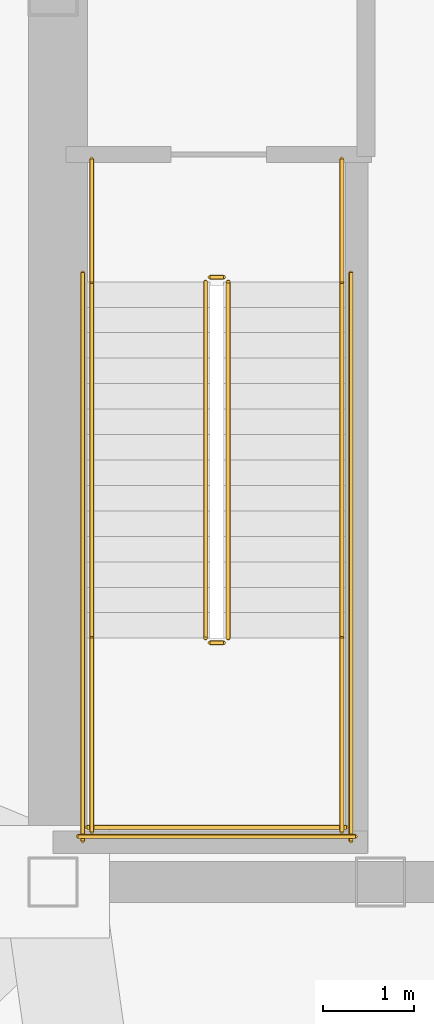
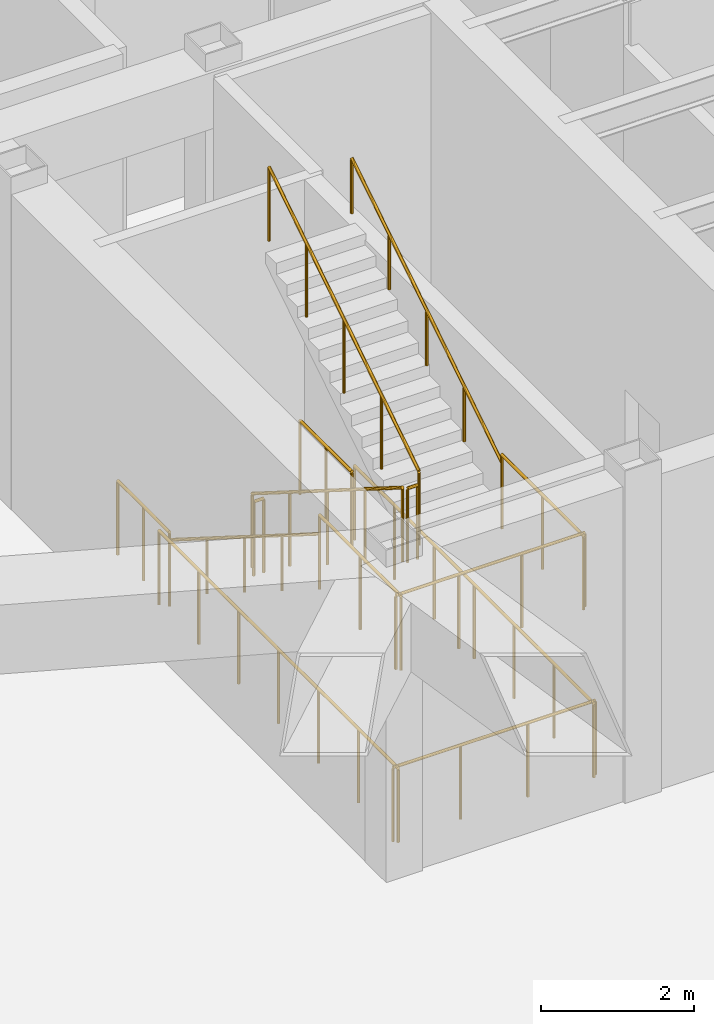
# One storey, part 22 of 23: 14 railings.
"""IFC4 building model written with IfcOpenShell, lengths in metres."""

from ifc_helpers import new_model, si_unit, direction, frame, origin, origin_2d, place, context, subcontext, project, spatial, circle, extrude, material, type_object, element, save


model = new_model("IFC4")

# Units and contexts
model_context = context("Model", 3, precision=1e-05, world=origin(), true_north=direction((0.0, 1.0)))
body_context = subcontext(model_context, "Body", "Model", "MODEL_VIEW")
ifc_project = project(units=[si_unit("LENGTHUNIT", "METRE"), si_unit("AREAUNIT", "SQUARE_METRE"), si_unit("VOLUMEUNIT", "CUBIC_METRE"), si_unit("PLANEANGLEUNIT", "RADIAN"), si_unit("MASSUNIT", "GRAM", prefix="KILO")], contexts=[model_context])

# Site, building, storey
site_placement = place(None, origin())
site = spatial("IfcSite", under=ifc_project, at=site_placement, CompositionType="ELEMENT")
building_placement = place(site_placement, origin())
building = spatial("IfcBuilding", under=site, at=building_placement, Name="Voryun Gate Residences", CompositionType="ELEMENT")
storey_placement = place(building_placement, frame((0.0, 0.0, 316.0)))
storey = spatial("IfcBuildingStorey", under=building, at=storey_placement, Name="L78", CompositionType="ELEMENT", Elevation=316.0)

# Railings
ifc_material_1 = material(Name="Painted steel", Category="steel")
railing_type_1 = type_object("IfcRailingType", Name="RAIL_STAIR_GUARD_1200", PredefinedType="GUARDRAIL", material=ifc_material_1)
railing_1_placement = place(storey_placement, frame((-17.52490234375, -0.800048828125, 0.1767578125)))
element("IfcRailing", 1, at=railing_1_placement, inside=storey, type_object=railing_type_1, Name="L78 ST-W1 stair guard 1", PredefinedType="GUARDRAIL", context=body_context, shape_type="SweptSolid", body=[
    extrude(circle(Radius=0.02392578125, at=origin_2d()), frame((0.0, 0.0, 1.17578125), z_axis=(0.0, -0.845741645819, 0.53359260539), x_axis=(1.0, 0.0, 0.0)), (0.0, 0.0, 1.0), 4.635009765625),
    extrude(circle(Radius=0.02099609375, at=origin_2d()), origin(), (0.0, 0.0, 1.0), 1.15185546875),
    extrude(circle(Radius=0.02099609375, at=origin_2d()), frame((0.0, -0.97998046875, 0.6181640625)), (0.0, 0.0, 1.0), 1.15185546875),
    extrude(circle(Radius=0.02099609375, at=origin_2d()), frame((0.0, -1.9599609375, 1.236572265625)), (0.0, 0.0, 1.0), 1.15185546875),
    extrude(circle(Radius=0.02099609375, at=origin_2d()), frame((0.0, -2.93994140625, 1.85498046875)), (0.0, 0.0, 1.0), 1.15185546875),
    extrude(circle(Radius=0.02099609375, at=origin_2d()), frame((0.0, -3.919921875, 2.47314453125)), (0.0, 0.0, 1.0), 1.15185546875),
])
railing_2_placement = place(storey_placement, frame((-17.47509765625, -4.77001953125, 2.64990234375)))
element("IfcRailing", 2, at=railing_2_placement, inside=storey, type_object=railing_type_1, Name="L78 ST-W1 stair guard 2", PredefinedType="GUARDRAIL", context=body_context, shape_type="SweptSolid", body=[
    extrude(circle(Radius=0.02392578125, at=origin_2d()), frame((0.0, 0.0, 1.17578125), z_axis=(1.0, 0.0, 0.0), x_axis=(0.0, 1.0, 0.0)), (0.0, 0.0, 1.0), 0.150146484375),
    extrude(circle(Radius=0.02099609375, at=origin_2d()), origin(), (0.0, 0.0, 1.0), 1.15185546875),
    extrude(circle(Radius=0.02099609375, at=origin_2d()), frame((0.150146484375, 0.0, 0.0)), (0.0, 0.0, 1.0), 1.15185546875),
])
for number, where, name in (
    (3, (-18.77490234375, -4.719970703125, 2.64990234375), "L78 ST-W1 stair guard 3"),
    (4, (-16.02490234375, -4.719970703125, 2.64990234375), "L78 ST-W1 stair guard 4"),
):
    element("IfcRailing", number, at=place(storey_placement, frame(where)), inside=storey, type_object=railing_type_1, Name=name, PredefinedType="GUARDRAIL", context=body_context, shape_type="SweptSolid", body=[
        extrude(circle(Radius=0.02392578125, at=origin_2d()), frame((0.0, 0.0, 1.17578125), z_axis=(0.0, -1.0, 0.0), x_axis=(1.0, 0.0, 0.0)), (0.0, 0.0, 1.0), 2.130126953125),
        extrude(circle(Radius=0.02099609375, at=origin_2d()), origin(), (0.0, 0.0, 1.0), 1.15185546875),
        extrude(circle(Radius=0.02099609375, at=origin_2d()), frame((0.0, -1.06494140625, 0.0)), (0.0, 0.0, 1.0), 1.15185546875),
        extrude(circle(Radius=0.02099609375, at=origin_2d()), frame((0.0, -2.130126953125, 0.0)), (0.0, 0.0, 1.0), 1.15185546875),
    ])
railing_3_placement = place(storey_placement, frame((-18.824951171875, -6.800048828125, 2.64990234375)))
element("IfcRailing", 5, at=railing_3_placement, inside=storey, type_object=railing_type_1, Name="L78 ST-W1 stair guard 5", PredefinedType="GUARDRAIL", context=body_context, shape_type="SweptSolid", body=[
    extrude(circle(Radius=0.02392578125, at=origin_2d()), frame((0.0, 0.0, 1.17578125), z_axis=(1.0, 0.0, 0.0), x_axis=(0.0, 1.0, 0.0)), (0.0, 0.0, 1.0), 2.849853515625),
    extrude(circle(Radius=0.02099609375, at=origin_2d()), origin(), (0.0, 0.0, 1.0), 1.15185546875),
    extrude(circle(Radius=0.02099609375, at=origin_2d()), frame((0.949951171875, 0.0, 0.0)), (0.0, 0.0, 1.0), 1.15185546875),
    extrude(circle(Radius=0.02099609375, at=origin_2d()), frame((1.89990234375, 0.0, 0.0)), (0.0, 0.0, 1.0), 1.15185546875),
    extrude(circle(Radius=0.02099609375, at=origin_2d()), frame((2.849853515625, 0.0, 0.0)), (0.0, 0.0, 1.0), 1.15185546875),
])
railing_4_placement = place(storey_placement, frame((-17.27490234375, -4.719970703125, 2.82666015625)))
element("IfcRailing", 6, at=railing_4_placement, inside=storey, type_object=railing_type_1, Name="L78 ST-W1 stair guard 6", PredefinedType="GUARDRAIL", context=body_context, shape_type="SweptSolid", body=[
    extrude(circle(Radius=0.02392578125, at=origin_2d()), frame((0.0, 0.0, 1.17578125), z_axis=(0.0, 0.845717874625, 0.533630280756), x_axis=(-1.0, 0.0, 0.0)), (0.0, 0.0, 1.0), 4.635009765625),
    extrude(circle(Radius=0.02099609375, at=origin_2d()), origin(), (0.0, 0.0, 1.0), 1.15185546875),
    extrude(circle(Radius=0.02099609375, at=origin_2d()), frame((0.0, 0.97998046875, 0.618408203125)), (0.0, 0.0, 1.0), 1.15185546875),
    extrude(circle(Radius=0.02099609375, at=origin_2d()), frame((0.0, 1.9599609375, 1.23681640625)), (0.0, 0.0, 1.0), 1.15185546875),
    extrude(circle(Radius=0.02099609375, at=origin_2d()), frame((0.0, 2.93994140625, 1.85498046875)), (0.0, 0.0, 1.0), 1.15185546875),
    extrude(circle(Radius=0.02099609375, at=origin_2d()), frame((0.0, 3.919921875, 2.473388671875)), (0.0, 0.0, 1.0), 1.15185546875),
])
railing_5_placement = place(storey_placement, frame((-17.47509765625, -0.75, 0.0)))
element("IfcRailing", 7, at=railing_5_placement, inside=storey, type_object=railing_type_1, Name="L78 ST-W1 stair guard 7", PredefinedType="GUARDRAIL", context=body_context, shape_type="SweptSolid", body=[
    extrude(circle(Radius=0.02392578125, at=origin_2d()), frame((0.0, 0.0, 1.17578125), z_axis=(1.0, 0.0, 0.0), x_axis=(0.0, 1.0, 0.0)), (0.0, 0.0, 1.0), 0.150146484375),
    extrude(circle(Radius=0.02099609375, at=origin_2d()), origin(), (0.0, 0.0, 1.0), 1.15185546875),
    extrude(circle(Radius=0.02099609375, at=origin_2d()), frame((0.150146484375, 0.0, 0.0)), (0.0, 0.0, 1.0), 1.15185546875),
])
for number, where, name in (
    (8, (-18.77490234375, 0.550048828125, 0.0), "L78 ST-W1 stair guard 8"),
    (9, (-16.02490234375, 0.550048828125, 0.0), "L78 ST-W1 stair guard 9"),
):
    element("IfcRailing", number, at=place(storey_placement, frame(where)), inside=storey, type_object=railing_type_1, Name=name, PredefinedType="GUARDRAIL", context=body_context, shape_type="SweptSolid", body=[
        extrude(circle(Radius=0.02392578125, at=origin_2d()), frame((0.0, 0.0, 1.17578125), z_axis=(0.0, -1.0, 0.0), x_axis=(1.0, 0.0, 0.0)), (0.0, 0.0, 1.0), 1.35009765625),
        extrude(circle(Radius=0.02099609375, at=origin_2d()), origin(), (0.0, 0.0, 1.0), 1.15185546875),
        extrude(circle(Radius=0.02099609375, at=origin_2d()), frame((0.0, -0.675048828125, 0.0)), (0.0, 0.0, 1.0), 1.15185546875),
        extrude(circle(Radius=0.02099609375, at=origin_2d()), frame((0.0, -1.35009765625, 0.0)), (0.0, 0.0, 1.0), 1.15185546875),
    ])
for number, where, name in (
    (10, (-18.875, -0.699951171875, 0.0), "L78 ST-W1 stair guard 10"),
    (11, (-15.925048828125, -0.699951171875, 0.0), "L78 ST-W1 stair guard 11"),
):
    element("IfcRailing", number, at=place(storey_placement, frame(where)), inside=storey, type_object=railing_type_1, Name=name, PredefinedType="GUARDRAIL", context=body_context, shape_type="SweptSolid", body=[
        extrude(circle(Radius=0.02392578125, at=origin_2d()), frame((0.0, 0.0, 1.17578125), z_axis=(0.0, -1.0, 0.0), x_axis=(1.0, 0.0, 0.0)), (0.0, 0.0, 1.0), 6.25),
        extrude(circle(Radius=0.02099609375, at=origin_2d()), origin(), (0.0, 0.0, 1.0), 1.15185546875),
        extrude(circle(Radius=0.02099609375, at=origin_2d()), frame((0.0, -1.041748046875, 0.0)), (0.0, 0.0, 1.0), 1.15185546875),
        extrude(circle(Radius=0.02099609375, at=origin_2d()), frame((0.0, -2.083251953125, 0.0)), (0.0, 0.0, 1.0), 1.15185546875),
        extrude(circle(Radius=0.02099609375, at=origin_2d()), frame((0.0, -3.125, 0.0)), (0.0, 0.0, 1.0), 1.15185546875),
        extrude(circle(Radius=0.02099609375, at=origin_2d()), frame((0.0, -4.166748046875, 0.0)), (0.0, 0.0, 1.0), 1.15185546875),
        extrude(circle(Radius=0.02099609375, at=origin_2d()), frame((0.0, -5.208251953125, 0.0)), (0.0, 0.0, 1.0), 1.15185546875),
        extrude(circle(Radius=0.02099609375, at=origin_2d()), frame((0.0, -6.25, 0.0)), (0.0, 0.0, 1.0), 1.15185546875),
    ])
railing_6_placement = place(storey_placement, frame((-18.925048828125, -6.89990234375, 0.0)))
element("IfcRailing", 12, at=railing_6_placement, inside=storey, type_object=railing_type_1, Name="L78 ST-W1 stair guard 12", PredefinedType="GUARDRAIL", context=body_context, shape_type="SweptSolid", body=[
    extrude(circle(Radius=0.02392578125, at=origin_2d()), frame((0.0, 0.0, 1.17578125), z_axis=(1.0, 0.0, 0.0), x_axis=(0.0, 1.0, 0.0)), (0.0, 0.0, 1.0), 3.050048828125),
    extrude(circle(Radius=0.02099609375, at=origin_2d()), origin(), (0.0, 0.0, 1.0), 1.15185546875),
    extrude(circle(Radius=0.02099609375, at=origin_2d()), frame((1.0166015625, 0.0, 0.0)), (0.0, 0.0, 1.0), 1.15185546875),
    extrude(circle(Radius=0.02099609375, at=origin_2d()), frame((2.033447265625, 0.0, 0.0)), (0.0, 0.0, 1.0), 1.15185546875),
    extrude(circle(Radius=0.02099609375, at=origin_2d()), frame((3.050048828125, 0.0, 0.0)), (0.0, 0.0, 1.0), 1.15185546875),
])
ifc_material_2 = material(Name="Painted steel", Category="steel")
railing_type_2 = type_object("IfcRailingType", Name="RAIL_STAIR_HANDRAIL_900", PredefinedType="HANDRAIL", material=ifc_material_2)
railing_7_placement = place(storey_placement, frame((-18.77490234375, -0.800048828125, 0.1767578125)))
element("IfcRailing", 13, at=railing_7_placement, inside=storey, type_object=railing_type_2, Name="L78 ST-W1 stair handrail 1", PredefinedType="HANDRAIL", context=body_context, shape_type="SweptSolid", body=[
    extrude(circle(Radius=0.02392578125, at=origin_2d()), frame((0.0, 0.0, 0.8759765625), z_axis=(0.0, -0.845741645819, 0.53359260539), x_axis=(1.0, 0.0, 0.0)), (0.0, 0.0, 1.0), 4.635009765625),
    extrude(circle(Radius=0.02099609375, at=origin_2d()), origin(), (0.0, 0.0, 1.0), 0.851806640625),
    extrude(circle(Radius=0.02099609375, at=origin_2d()), frame((0.0, -0.97998046875, 0.6181640625)), (0.0, 0.0, 1.0), 0.851806640625),
    extrude(circle(Radius=0.02099609375, at=origin_2d()), frame((0.0, -1.9599609375, 1.236572265625)), (0.0, 0.0, 1.0), 0.851806640625),
    extrude(circle(Radius=0.02099609375, at=origin_2d()), frame((0.0, -2.93994140625, 1.85498046875)), (0.0, 0.0, 1.0), 0.851806640625),
    extrude(circle(Radius=0.02099609375, at=origin_2d()), frame((0.0, -3.919921875, 2.47314453125)), (0.0, 0.0, 1.0), 0.851806640625),
])
railing_8_placement = place(storey_placement, frame((-16.02490234375, -4.719970703125, 2.82666015625)))
element("IfcRailing", 14, at=railing_8_placement, inside=storey, type_object=railing_type_2, Name="L78 ST-W1 stair handrail 2", PredefinedType="HANDRAIL", context=body_context, shape_type="SweptSolid", body=[
    extrude(circle(Radius=0.02392578125, at=origin_2d()), frame((0.0, 0.0, 0.8759765625), z_axis=(0.0, 0.845717874625, 0.533630280756), x_axis=(-1.0, 0.0, 0.0)), (0.0, 0.0, 1.0), 4.635009765625),
    extrude(circle(Radius=0.02099609375, at=origin_2d()), origin(), (0.0, 0.0, 1.0), 0.851806640625),
    extrude(circle(Radius=0.02099609375, at=origin_2d()), frame((0.0, 0.97998046875, 0.618408203125)), (0.0, 0.0, 1.0), 0.851806640625),
    extrude(circle(Radius=0.02099609375, at=origin_2d()), frame((0.0, 1.9599609375, 1.23681640625)), (0.0, 0.0, 1.0), 0.851806640625),
    extrude(circle(Radius=0.02099609375, at=origin_2d()), frame((0.0, 2.93994140625, 1.85498046875)), (0.0, 0.0, 1.0), 0.851806640625),
    extrude(circle(Radius=0.02099609375, at=origin_2d()), frame((0.0, 3.919921875, 2.473388671875)), (0.0, 0.0, 1.0), 0.851806640625),
])

save(model, "model.ifc")
